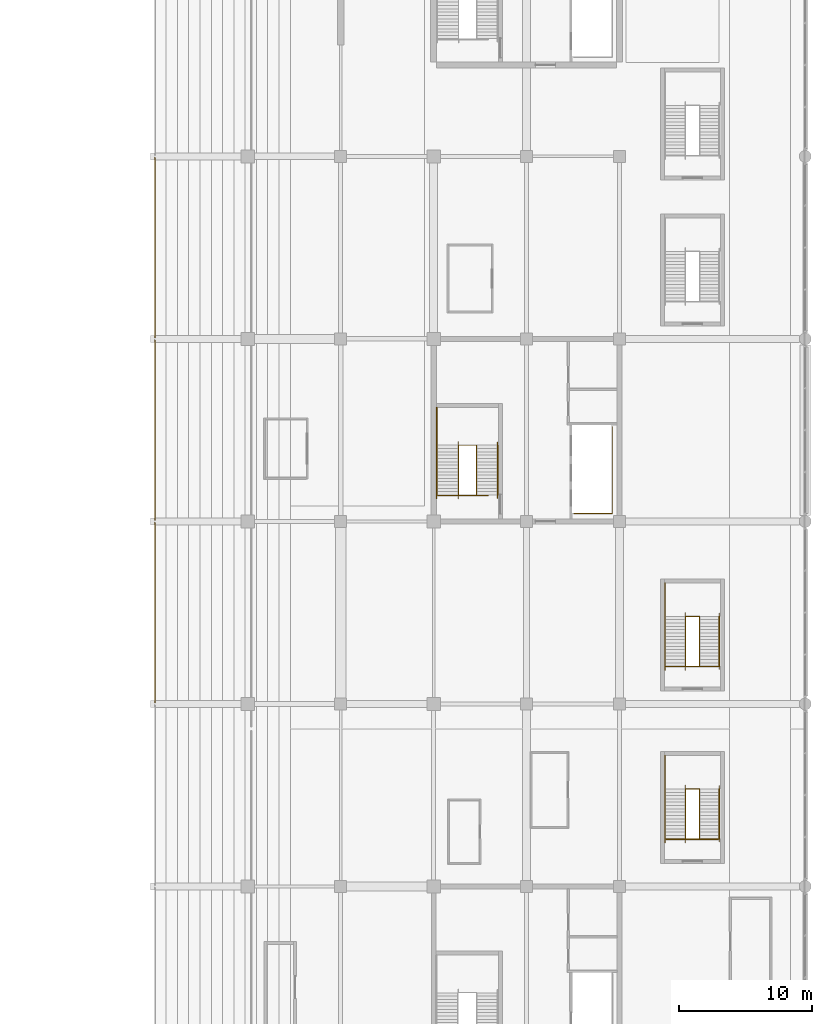
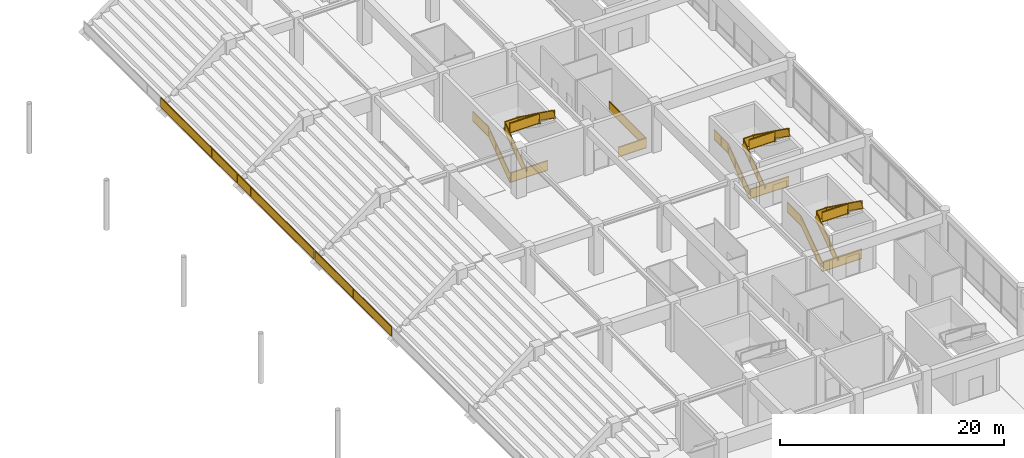
# One storey, part 111 of 117: 16 railings.
"""IFC4 building model written with IfcOpenShell, lengths in metres."""

from ifc_helpers import new_model, si_unit, direction, frame, origin, origin_2d, place, context, subcontext, project, spatial, rectangle, extrude, material, type_object, element, save


model = new_model("IFC4")

# Units and contexts
model_context = context("Model", 3, precision=1e-05, world=origin(), true_north=direction((0.0, 1.0)))
body_context = subcontext(model_context, "Body", "Model", "MODEL_VIEW")
ifc_project = project(units=[si_unit("LENGTHUNIT", "METRE"), si_unit("AREAUNIT", "SQUARE_METRE"), si_unit("VOLUMEUNIT", "CUBIC_METRE"), si_unit("PLANEANGLEUNIT", "RADIAN"), si_unit("MASSUNIT", "GRAM", prefix="KILO")], contexts=[model_context])

# Site, building, storey
site_placement = place(None, origin())
site = spatial("IfcSite", under=ifc_project, at=site_placement, CompositionType="ELEMENT")
building_placement = place(site_placement, origin())
building = spatial("IfcBuilding", under=site, at=building_placement, Name="Linyun Crest Stadium", CompositionType="ELEMENT")
storey_placement = place(building_placement, frame((0.0, 0.0, 6.0)))
storey = spatial("IfcBuildingStorey", under=building, at=storey_placement, Name="L02", CompositionType="ELEMENT", Elevation=6.0)

# Railings
ifc_material_1 = material(Name="Galvanized and powder-coated steel bowl safety barrier", Category="steel")
railing_type_1 = type_object("IfcRailingType", Name="GR02", PredefinedType="GUARDRAIL", material=ifc_material_1)
for number, where, name in (
    (1, (49.0, -11.544921875, 0.199951171875), "Bowl front safety guard GR02 30"),
    (2, (49.0, 2.205078125, 0.199951171875), "Bowl front safety guard GR02 38"),
    (3, (49.0, 15.955078125, 0.199951171875), "Bowl front safety guard GR02 46"),
):
    element("IfcRailing", number, at=place(storey_placement, frame(where)), inside=storey, type_object=railing_type_1, Name=name, PredefinedType="GUARDRAIL", context=body_context, shape_type="SweptSolid", body=[
        extrude(rectangle(XDim=0.06005859375, YDim=0.06005859375, at=origin_2d()), frame((0.0, 0.0, 1.090087890625), z_axis=(0.0, 1.0, 0.0), x_axis=(-1.0, 0.0, 0.0)), (0.0, 0.0, 1.0), 13.58984375),
        extrude(rectangle(XDim=0.030029296875, YDim=1.0, at=origin_2d()), frame((0.0, 0.0, 0.56005859375), z_axis=(0.0, 1.0, 0.0), x_axis=(-1.0, 0.0, 0.0)), (0.0, 0.0, 1.0), 13.58984375),
        extrude(rectangle(XDim=0.06005859375, YDim=0.06005859375, at=origin_2d()), frame((0.0, 0.0, 0.030029296875), z_axis=(0.0, 1.0, 0.0), x_axis=(-1.0, 0.0, 0.0)), (0.0, 0.0, 1.0), 13.58984375),
        extrude(rectangle(XDim=0.050048828125, YDim=0.050048828125, at=origin_2d()), origin(), (0.0, 0.0, 1.0), 1.1201171875),
        extrude(rectangle(XDim=0.050048828125, YDim=0.050048828125, at=origin_2d()), frame((0.0, 2.264892578125, 0.0)), (0.0, 0.0, 1.0), 1.1201171875),
        extrude(rectangle(XDim=0.050048828125, YDim=0.050048828125, at=origin_2d()), frame((0.0, 4.530029296875, 0.0)), (0.0, 0.0, 1.0), 1.1201171875),
        extrude(rectangle(XDim=0.050048828125, YDim=0.050048828125, at=origin_2d()), frame((0.0, 6.794921875, 0.0)), (0.0, 0.0, 1.0), 1.1201171875),
        extrude(rectangle(XDim=0.050048828125, YDim=0.050048828125, at=origin_2d()), frame((0.0, 9.059814453125, 0.0)), (0.0, 0.0, 1.0), 1.1201171875),
        extrude(rectangle(XDim=0.050048828125, YDim=0.050048828125, at=origin_2d()), frame((0.0, 11.324951171875, 0.0)), (0.0, 0.0, 1.0), 1.1201171875),
        extrude(rectangle(XDim=0.050048828125, YDim=0.050048828125, at=origin_2d()), frame((0.0, 13.58984375, 0.0)), (0.0, 0.0, 1.0), 1.1201171875),
    ])
for number, where, name in (
    (4, (87.5400390625, -21.81005859375, 0.0), "Slab edge balustrade GR02 121"),
    (5, (87.5400390625, -8.81005859375, 0.0), "Slab edge balustrade GR02 129"),
):
    element("IfcRailing", number, at=place(storey_placement, frame(where)), inside=storey, type_object=railing_type_1, Name=name, PredefinedType="GUARDRAIL", context=body_context, shape_type="SweptSolid", body=[
        extrude(rectangle(XDim=0.06005859375, YDim=0.06005859375, at=origin_2d()), frame((0.0, 0.0, 1.090087890625), z_axis=(1.0, 0.0, 0.0), x_axis=(0.0, 1.0, 0.0)), (0.0, 0.0, 1.0), 3.919921875),
        extrude(rectangle(XDim=0.030029296875, YDim=1.0, at=origin_2d()), frame((0.0, 0.0, 0.56005859375), z_axis=(1.0, 0.0, 0.0), x_axis=(0.0, 1.0, 0.0)), (0.0, 0.0, 1.0), 3.919921875),
        extrude(rectangle(XDim=0.06005859375, YDim=0.06005859375, at=origin_2d()), frame((0.0, 0.0, 0.030029296875), z_axis=(1.0, 0.0, 0.0), x_axis=(0.0, 1.0, 0.0)), (0.0, 0.0, 1.0), 3.919921875),
        extrude(rectangle(XDim=0.050048828125, YDim=0.050048828125, at=origin_2d()), origin(), (0.0, 0.0, 1.0), 1.1201171875),
        extrude(rectangle(XDim=0.050048828125, YDim=0.050048828125, at=origin_2d()), frame((3.919921875, 0.0, 0.0)), (0.0, 0.0, 1.0), 1.1201171875),
    ])
railing_1_placement = place(storey_placement, frame((80.580078125, 2.715087890625, 0.0)))
element("IfcRailing", 6, at=railing_1_placement, inside=storey, type_object=railing_type_1, Name="Slab edge balustrade GR02 132", PredefinedType="GUARDRAIL", context=body_context, shape_type="SweptSolid", body=[
    extrude(rectangle(XDim=0.06005859375, YDim=0.06005859375, at=origin_2d()), frame((0.0, 0.0, 1.090087890625), z_axis=(1.0, 0.0, 0.0), x_axis=(0.0, 1.0, 0.0)), (0.0, 0.0, 1.0), 2.8798828125),
    extrude(rectangle(XDim=0.030029296875, YDim=1.0, at=origin_2d()), frame((0.0, 0.0, 0.56005859375), z_axis=(1.0, 0.0, 0.0), x_axis=(0.0, 1.0, 0.0)), (0.0, 0.0, 1.0), 2.8798828125),
    extrude(rectangle(XDim=0.06005859375, YDim=0.06005859375, at=origin_2d()), frame((0.0, 0.0, 0.030029296875), z_axis=(1.0, 0.0, 0.0), x_axis=(0.0, 1.0, 0.0)), (0.0, 0.0, 1.0), 2.8798828125),
    extrude(rectangle(XDim=0.06005859375, YDim=0.06005859375, at=origin_2d()), frame((2.8798828125, 0.0, 1.090087890625), z_axis=(0.0, 1.0, 0.0), x_axis=(-1.0, 0.0, 0.0)), (0.0, 0.0, 1.0), 6.5498046875),
    extrude(rectangle(XDim=0.030029296875, YDim=1.0, at=origin_2d()), frame((2.8798828125, 0.0, 0.56005859375), z_axis=(0.0, 1.0, 0.0), x_axis=(-1.0, 0.0, 0.0)), (0.0, 0.0, 1.0), 6.5498046875),
    extrude(rectangle(XDim=0.06005859375, YDim=0.06005859375, at=origin_2d()), frame((2.8798828125, 0.0, 0.030029296875), z_axis=(0.0, 1.0, 0.0), x_axis=(-1.0, 0.0, 0.0)), (0.0, 0.0, 1.0), 6.5498046875),
    extrude(rectangle(XDim=0.050048828125, YDim=0.050048828125, at=origin_2d()), origin(), (0.0, 0.0, 1.0), 1.1201171875),
    extrude(rectangle(XDim=0.050048828125, YDim=0.050048828125, at=origin_2d()), frame((2.8798828125, 0.0, 0.0)), (0.0, 0.0, 1.0), 1.1201171875),
    extrude(rectangle(XDim=0.050048828125, YDim=0.050048828125, at=origin_2d()), frame((2.8798828125, 3.27490234375, 0.0)), (0.0, 0.0, 1.0), 1.1201171875),
    extrude(rectangle(XDim=0.050048828125, YDim=0.050048828125, at=origin_2d()), frame((2.8798828125, 6.5498046875, 0.0)), (0.0, 0.0, 1.0), 1.1201171875),
])
railing_2_placement = place(storey_placement, frame((70.340087890625, 4.0849609375, 0.0)))
element("IfcRailing", 7, at=railing_2_placement, inside=storey, type_object=railing_type_1, Name="Slab edge balustrade GR02 134", PredefinedType="GUARDRAIL", context=body_context, shape_type="SweptSolid", body=[
    extrude(rectangle(XDim=0.06005859375, YDim=0.06005859375, at=origin_2d()), frame((0.0, 0.0, 1.090087890625), z_axis=(1.0, 0.0, 0.0), x_axis=(0.0, 1.0, 0.0)), (0.0, 0.0, 1.0), 3.760009765625),
    extrude(rectangle(XDim=0.030029296875, YDim=1.0, at=origin_2d()), frame((0.0, 0.0, 0.56005859375), z_axis=(1.0, 0.0, 0.0), x_axis=(0.0, 1.0, 0.0)), (0.0, 0.0, 1.0), 3.760009765625),
    extrude(rectangle(XDim=0.06005859375, YDim=0.06005859375, at=origin_2d()), frame((0.0, 0.0, 0.030029296875), z_axis=(1.0, 0.0, 0.0), x_axis=(0.0, 1.0, 0.0)), (0.0, 0.0, 1.0), 3.760009765625),
    extrude(rectangle(XDim=0.050048828125, YDim=0.050048828125, at=origin_2d()), origin(), (0.0, 0.0, 1.0), 1.1201171875),
    extrude(rectangle(XDim=0.050048828125, YDim=0.050048828125, at=origin_2d()), frame((3.760009765625, 0.0, 0.0)), (0.0, 0.0, 1.0), 1.1201171875),
])
ifc_material_2 = material(Name="Painted steel stairwell safety guard", Category="steel")
railing_type_2 = type_object("IfcRailingType", Name="GR03", PredefinedType="GUARDRAIL", material=ifc_material_2)
railing_3_placement = place(storey_placement, frame((70.22998046875, 4.114990234375, 0.0)))
element("IfcRailing", 8, at=railing_3_placement, inside=storey, type_object=railing_type_2, Name="STR-05-L02 outer guard", PredefinedType="GUARDRAIL", context=body_context, shape_type="SweptSolid", body=[
    extrude(rectangle(XDim=0.06005859375, YDim=0.06005859375, at=origin_2d()), frame((0.0, 0.0, 1.090087890625), z_axis=(0.0, 0.811539352079, 0.584297766578), x_axis=(-1.0, 0.0, 0.0)), (0.0, 0.0, 1.0), 4.620849609375),
    extrude(rectangle(XDim=0.030029296875, YDim=1.0, at=origin_2d()), frame((0.0, 0.0, 0.56005859375), z_axis=(0.0, 0.811539352079, 0.584297766578), x_axis=(-1.0, 0.0, 0.0)), (0.0, 0.0, 1.0), 4.620849609375),
    extrude(rectangle(XDim=0.06005859375, YDim=0.06005859375, at=origin_2d()), frame((0.0, 0.0, 0.030029296875), z_axis=(0.0, 0.811539352079, 0.584297766578), x_axis=(-1.0, 0.0, 0.0)), (0.0, 0.0, 1.0), 4.620849609375),
    extrude(rectangle(XDim=0.06005859375, YDim=0.06005859375, at=origin_2d()), frame((0.0, 3.75, 3.7900390625), z_axis=(0.0, 1.0, 0.0), x_axis=(-1.0, 0.0, 0.0)), (0.0, 0.0, 1.0), 2.830078125),
    extrude(rectangle(XDim=0.030029296875, YDim=1.0, at=origin_2d()), frame((0.0, 3.75, 3.260009765625), z_axis=(0.0, 1.0, 0.0), x_axis=(-1.0, 0.0, 0.0)), (0.0, 0.0, 1.0), 2.830078125),
    extrude(rectangle(XDim=0.06005859375, YDim=0.06005859375, at=origin_2d()), frame((0.0, 3.75, 2.72998046875), z_axis=(0.0, 1.0, 0.0), x_axis=(-1.0, 0.0, 0.0)), (0.0, 0.0, 1.0), 2.830078125),
    extrude(rectangle(XDim=0.050048828125, YDim=0.050048828125, at=origin_2d()), origin(), (0.0, 0.0, 1.0), 1.1201171875),
    extrude(rectangle(XDim=0.050048828125, YDim=0.050048828125, at=origin_2d()), frame((0.0, 1.25, 0.89990234375)), (0.0, 0.0, 1.0), 1.1201171875),
    extrude(rectangle(XDim=0.050048828125, YDim=0.050048828125, at=origin_2d()), frame((0.0, 2.5, 1.800048828125)), (0.0, 0.0, 1.0), 1.1201171875),
    extrude(rectangle(XDim=0.050048828125, YDim=0.050048828125, at=origin_2d()), frame((0.0, 3.75, 2.699951171875)), (0.0, 0.0, 1.0), 1.1201171875),
    extrude(rectangle(XDim=0.050048828125, YDim=0.050048828125, at=origin_2d()), frame((0.0, 5.1650390625, 2.699951171875)), (0.0, 0.0, 1.0), 1.1201171875),
    extrude(rectangle(XDim=0.050048828125, YDim=0.050048828125, at=origin_2d()), frame((0.0, 6.580078125, 2.699951171875)), (0.0, 0.0, 1.0), 1.1201171875),
])
railing_4_placement = place(storey_placement, frame((71.8701171875, 4.094970703125, 0.0)))
element("IfcRailing", 9, at=railing_4_placement, inside=storey, type_object=railing_type_2, Name="STR-05-L02 inner well guard", PredefinedType="GUARDRAIL", context=body_context, shape_type="SweptSolid", body=[
    extrude(rectangle(XDim=0.06005859375, YDim=0.06005859375, at=origin_2d()), frame((0.0, 0.0, 1.090087890625), z_axis=(0.0, 0.813010693788, 0.582248754216), x_axis=(-1.0, 0.0, 0.0)), (0.0, 0.0, 1.0), 4.63720703125),
    extrude(rectangle(XDim=0.030029296875, YDim=1.0, at=origin_2d()), frame((0.0, 0.0, 0.56005859375), z_axis=(0.0, 0.813010693788, 0.582248754216), x_axis=(-1.0, 0.0, 0.0)), (0.0, 0.0, 1.0), 4.63720703125),
    extrude(rectangle(XDim=0.06005859375, YDim=0.06005859375, at=origin_2d()), frame((0.0, 0.0, 0.030029296875), z_axis=(0.0, 0.813010693788, 0.582248754216), x_axis=(-1.0, 0.0, 0.0)), (0.0, 0.0, 1.0), 4.63720703125),
    extrude(rectangle(XDim=0.06005859375, YDim=0.06005859375, at=origin_2d()), frame((0.0, 3.77001953125, 3.7900390625), z_axis=(1.0, 0.0, 0.0), x_axis=(0.0, 1.0, 0.0)), (0.0, 0.0, 1.0), 1.35986328125),
    extrude(rectangle(XDim=0.030029296875, YDim=1.0, at=origin_2d()), frame((0.0, 3.77001953125, 3.260009765625), z_axis=(1.0, 0.0, 0.0), x_axis=(0.0, 1.0, 0.0)), (0.0, 0.0, 1.0), 1.35986328125),
    extrude(rectangle(XDim=0.06005859375, YDim=0.06005859375, at=origin_2d()), frame((0.0, 3.77001953125, 2.72998046875), z_axis=(1.0, 0.0, 0.0), x_axis=(0.0, 1.0, 0.0)), (0.0, 0.0, 1.0), 1.35986328125),
    extrude(rectangle(XDim=0.06005859375, YDim=0.06005859375, at=origin_2d()), frame((1.35986328125, 3.77001953125, 3.7900390625), z_axis=(0.0, -0.813010693788, 0.582248754216), x_axis=(1.0, 0.0, 0.0)), (0.0, 0.0, 1.0), 4.63720703125),
    extrude(rectangle(XDim=0.030029296875, YDim=1.0, at=origin_2d()), frame((1.35986328125, 3.77001953125, 3.260009765625), z_axis=(0.0, -0.813010693788, 0.582248754216), x_axis=(1.0, 0.0, 0.0)), (0.0, 0.0, 1.0), 4.63720703125),
    extrude(rectangle(XDim=0.06005859375, YDim=0.06005859375, at=origin_2d()), frame((1.35986328125, 3.77001953125, 2.72998046875), z_axis=(0.0, -0.813010693788, 0.582248754216), x_axis=(1.0, 0.0, 0.0)), (0.0, 0.0, 1.0), 4.63720703125),
    extrude(rectangle(XDim=0.06005859375, YDim=0.06005859375, at=origin_2d()), frame((1.35986328125, 0.0, 6.489990234375), z_axis=(-1.0, 0.0, 0.0), x_axis=(0.0, -1.0, 0.0)), (0.0, 0.0, 1.0), 3.010009765625),
    extrude(rectangle(XDim=0.030029296875, YDim=1.0, at=origin_2d()), frame((1.35986328125, 0.0, 5.9599609375), z_axis=(-1.0, 0.0, 0.0), x_axis=(0.0, -1.0, 0.0)), (0.0, 0.0, 1.0), 3.010009765625),
    extrude(rectangle(XDim=0.06005859375, YDim=0.06005859375, at=origin_2d()), frame((1.35986328125, 0.0, 5.429931640625), z_axis=(-1.0, 0.0, 0.0), x_axis=(0.0, -1.0, 0.0)), (0.0, 0.0, 1.0), 3.010009765625),
    extrude(rectangle(XDim=0.050048828125, YDim=0.050048828125, at=origin_2d()), origin(), (0.0, 0.0, 1.0), 1.1201171875),
    extrude(rectangle(XDim=0.050048828125, YDim=0.050048828125, at=origin_2d()), frame((0.0, 1.256591796875, 0.89990234375)), (0.0, 0.0, 1.0), 1.1201171875),
    extrude(rectangle(XDim=0.050048828125, YDim=0.050048828125, at=origin_2d()), frame((0.0, 2.513427734375, 1.800048828125)), (0.0, 0.0, 1.0), 1.1201171875),
    extrude(rectangle(XDim=0.050048828125, YDim=0.050048828125, at=origin_2d()), frame((0.0, 3.77001953125, 2.699951171875)), (0.0, 0.0, 1.0), 1.1201171875),
    extrude(rectangle(XDim=0.050048828125, YDim=0.050048828125, at=origin_2d()), frame((1.35986328125, 3.77001953125, 2.699951171875)), (0.0, 0.0, 1.0), 1.1201171875),
    extrude(rectangle(XDim=0.050048828125, YDim=0.050048828125, at=origin_2d()), frame((1.35986328125, 2.513427734375, 3.599853515625)), (0.0, 0.0, 1.0), 1.1201171875),
    extrude(rectangle(XDim=0.050048828125, YDim=0.050048828125, at=origin_2d()), frame((1.35986328125, 1.256591796875, 4.5)), (0.0, 0.0, 1.0), 1.1201171875),
    extrude(rectangle(XDim=0.050048828125, YDim=0.050048828125, at=origin_2d()), frame((1.35986328125, 0.0, 5.39990234375)), (0.0, 0.0, 1.0), 1.1201171875),
    extrude(rectangle(XDim=0.050048828125, YDim=0.050048828125, at=origin_2d()), frame((-0.14501953125, 0.0, 5.39990234375)), (0.0, 0.0, 1.0), 1.1201171875),
    extrude(rectangle(XDim=0.050048828125, YDim=0.050048828125, at=origin_2d()), frame((-1.650146484375, 0.0, 5.39990234375)), (0.0, 0.0, 1.0), 1.1201171875),
])
railing_5_placement = place(storey_placement, frame((87.429931640625, -21.780029296875, 0.0)))
element("IfcRailing", 10, at=railing_5_placement, inside=storey, type_object=railing_type_2, Name="STR-19-L02 outer guard", PredefinedType="GUARDRAIL", context=body_context, shape_type="SweptSolid", body=[
    extrude(rectangle(XDim=0.06005859375, YDim=0.06005859375, at=origin_2d()), frame((0.0, 0.0, 1.090087890625), z_axis=(0.0, 0.811539352079, 0.584297766578), x_axis=(-1.0, 0.0, 0.0)), (0.0, 0.0, 1.0), 4.620849609375),
    extrude(rectangle(XDim=0.030029296875, YDim=1.0, at=origin_2d()), frame((0.0, 0.0, 0.56005859375), z_axis=(0.0, 0.811539352079, 0.584297766578), x_axis=(-1.0, 0.0, 0.0)), (0.0, 0.0, 1.0), 4.620849609375),
    extrude(rectangle(XDim=0.06005859375, YDim=0.06005859375, at=origin_2d()), frame((0.0, 0.0, 0.030029296875), z_axis=(0.0, 0.811539352079, 0.584297766578), x_axis=(-1.0, 0.0, 0.0)), (0.0, 0.0, 1.0), 4.620849609375),
    extrude(rectangle(XDim=0.06005859375, YDim=0.06005859375, at=origin_2d()), frame((0.0, 3.75, 3.7900390625), z_axis=(0.0, 1.0, 0.0), x_axis=(-1.0, 0.0, 0.0)), (0.0, 0.0, 1.0), 2.5),
    extrude(rectangle(XDim=0.030029296875, YDim=1.0, at=origin_2d()), frame((0.0, 3.75, 3.260009765625), z_axis=(0.0, 1.0, 0.0), x_axis=(-1.0, 0.0, 0.0)), (0.0, 0.0, 1.0), 2.5),
    extrude(rectangle(XDim=0.06005859375, YDim=0.06005859375, at=origin_2d()), frame((0.0, 3.75, 2.72998046875), z_axis=(0.0, 1.0, 0.0), x_axis=(-1.0, 0.0, 0.0)), (0.0, 0.0, 1.0), 2.5),
    extrude(rectangle(XDim=0.050048828125, YDim=0.050048828125, at=origin_2d()), origin(), (0.0, 0.0, 1.0), 1.1201171875),
    extrude(rectangle(XDim=0.050048828125, YDim=0.050048828125, at=origin_2d()), frame((0.0, 1.25, 0.89990234375)), (0.0, 0.0, 1.0), 1.1201171875),
    extrude(rectangle(XDim=0.050048828125, YDim=0.050048828125, at=origin_2d()), frame((0.0, 2.5, 1.800048828125)), (0.0, 0.0, 1.0), 1.1201171875),
    extrude(rectangle(XDim=0.050048828125, YDim=0.050048828125, at=origin_2d()), frame((0.0, 3.75, 2.699951171875)), (0.0, 0.0, 1.0), 1.1201171875),
    extrude(rectangle(XDim=0.050048828125, YDim=0.050048828125, at=origin_2d()), frame((0.0, 5.0, 2.699951171875)), (0.0, 0.0, 1.0), 1.1201171875),
    extrude(rectangle(XDim=0.050048828125, YDim=0.050048828125, at=origin_2d()), frame((0.0, 6.25, 2.699951171875)), (0.0, 0.0, 1.0), 1.1201171875),
])
railing_6_placement = place(storey_placement, frame((88.969970703125, -21.800048828125, 0.0)))
element("IfcRailing", 11, at=railing_6_placement, inside=storey, type_object=railing_type_2, Name="STR-19-L02 inner well guard", PredefinedType="GUARDRAIL", context=body_context, shape_type="SweptSolid", body=[
    extrude(rectangle(XDim=0.06005859375, YDim=0.06005859375, at=origin_2d()), frame((0.0, 0.0, 1.090087890625), z_axis=(0.0, 0.813010693788, 0.582248754216), x_axis=(-1.0, 0.0, 0.0)), (0.0, 0.0, 1.0), 4.63720703125),
    extrude(rectangle(XDim=0.030029296875, YDim=1.0, at=origin_2d()), frame((0.0, 0.0, 0.56005859375), z_axis=(0.0, 0.813010693788, 0.582248754216), x_axis=(-1.0, 0.0, 0.0)), (0.0, 0.0, 1.0), 4.63720703125),
    extrude(rectangle(XDim=0.06005859375, YDim=0.06005859375, at=origin_2d()), frame((0.0, 0.0, 0.030029296875), z_axis=(0.0, 0.813010693788, 0.582248754216), x_axis=(-1.0, 0.0, 0.0)), (0.0, 0.0, 1.0), 4.63720703125),
    extrude(rectangle(XDim=0.06005859375, YDim=0.06005859375, at=origin_2d()), frame((0.0, 3.77001953125, 3.7900390625), z_axis=(1.0, 0.0, 0.0), x_axis=(0.0, 1.0, 0.0)), (0.0, 0.0, 1.0), 1.06005859375),
    extrude(rectangle(XDim=0.030029296875, YDim=1.0, at=origin_2d()), frame((0.0, 3.77001953125, 3.260009765625), z_axis=(1.0, 0.0, 0.0), x_axis=(0.0, 1.0, 0.0)), (0.0, 0.0, 1.0), 1.06005859375),
    extrude(rectangle(XDim=0.06005859375, YDim=0.06005859375, at=origin_2d()), frame((0.0, 3.77001953125, 2.72998046875), z_axis=(1.0, 0.0, 0.0), x_axis=(0.0, 1.0, 0.0)), (0.0, 0.0, 1.0), 1.06005859375),
    extrude(rectangle(XDim=0.06005859375, YDim=0.06005859375, at=origin_2d()), frame((1.06005859375, 3.77001953125, 3.7900390625), z_axis=(0.0, -0.813010693788, 0.582248754216), x_axis=(1.0, 0.0, 0.0)), (0.0, 0.0, 1.0), 4.63720703125),
    extrude(rectangle(XDim=0.030029296875, YDim=1.0, at=origin_2d()), frame((1.06005859375, 3.77001953125, 3.260009765625), z_axis=(0.0, -0.813010693788, 0.582248754216), x_axis=(1.0, 0.0, 0.0)), (0.0, 0.0, 1.0), 4.63720703125),
    extrude(rectangle(XDim=0.06005859375, YDim=0.06005859375, at=origin_2d()), frame((1.06005859375, 3.77001953125, 2.72998046875), z_axis=(0.0, -0.813010693788, 0.582248754216), x_axis=(1.0, 0.0, 0.0)), (0.0, 0.0, 1.0), 4.63720703125),
    extrude(rectangle(XDim=0.06005859375, YDim=0.06005859375, at=origin_2d()), frame((1.06005859375, 0.0, 6.489990234375), z_axis=(-1.0, 0.0, 0.0), x_axis=(0.0, -1.0, 0.0)), (0.0, 0.0, 1.0), 2.610107421875),
    extrude(rectangle(XDim=0.030029296875, YDim=1.0, at=origin_2d()), frame((1.06005859375, 0.0, 5.9599609375), z_axis=(-1.0, 0.0, 0.0), x_axis=(0.0, -1.0, 0.0)), (0.0, 0.0, 1.0), 2.610107421875),
    extrude(rectangle(XDim=0.06005859375, YDim=0.06005859375, at=origin_2d()), frame((1.06005859375, 0.0, 5.429931640625), z_axis=(-1.0, 0.0, 0.0), x_axis=(0.0, -1.0, 0.0)), (0.0, 0.0, 1.0), 2.610107421875),
    extrude(rectangle(XDim=0.050048828125, YDim=0.050048828125, at=origin_2d()), origin(), (0.0, 0.0, 1.0), 1.1201171875),
    extrude(rectangle(XDim=0.050048828125, YDim=0.050048828125, at=origin_2d()), frame((0.0, 1.256591796875, 0.89990234375)), (0.0, 0.0, 1.0), 1.1201171875),
    extrude(rectangle(XDim=0.050048828125, YDim=0.050048828125, at=origin_2d()), frame((0.0, 2.513427734375, 1.800048828125)), (0.0, 0.0, 1.0), 1.1201171875),
    extrude(rectangle(XDim=0.050048828125, YDim=0.050048828125, at=origin_2d()), frame((0.0, 3.77001953125, 2.699951171875)), (0.0, 0.0, 1.0), 1.1201171875),
    extrude(rectangle(XDim=0.050048828125, YDim=0.050048828125, at=origin_2d()), frame((1.06005859375, 3.77001953125, 2.699951171875)), (0.0, 0.0, 1.0), 1.1201171875),
    extrude(rectangle(XDim=0.050048828125, YDim=0.050048828125, at=origin_2d()), frame((1.06005859375, 2.513427734375, 3.599853515625)), (0.0, 0.0, 1.0), 1.1201171875),
    extrude(rectangle(XDim=0.050048828125, YDim=0.050048828125, at=origin_2d()), frame((1.06005859375, 1.256591796875, 4.5)), (0.0, 0.0, 1.0), 1.1201171875),
    extrude(rectangle(XDim=0.050048828125, YDim=0.050048828125, at=origin_2d()), frame((1.06005859375, 0.0, 5.39990234375)), (0.0, 0.0, 1.0), 1.1201171875),
    extrude(rectangle(XDim=0.050048828125, YDim=0.050048828125, at=origin_2d()), frame((-0.2451171875, 0.0, 5.39990234375)), (0.0, 0.0, 1.0), 1.1201171875),
    extrude(rectangle(XDim=0.050048828125, YDim=0.050048828125, at=origin_2d()), frame((-1.550048828125, 0.0, 5.39990234375)), (0.0, 0.0, 1.0), 1.1201171875),
])
railing_7_placement = place(storey_placement, frame((87.429931640625, -8.780029296875, 0.0)))
element("IfcRailing", 12, at=railing_7_placement, inside=storey, type_object=railing_type_2, Name="STR-20-L02 outer guard", PredefinedType="GUARDRAIL", context=body_context, shape_type="SweptSolid", body=[
    extrude(rectangle(XDim=0.06005859375, YDim=0.06005859375, at=origin_2d()), frame((0.0, 0.0, 1.090087890625), z_axis=(0.0, 0.811539352079, 0.584297766578), x_axis=(-1.0, 0.0, 0.0)), (0.0, 0.0, 1.0), 4.620849609375),
    extrude(rectangle(XDim=0.030029296875, YDim=1.0, at=origin_2d()), frame((0.0, 0.0, 0.56005859375), z_axis=(0.0, 0.811539352079, 0.584297766578), x_axis=(-1.0, 0.0, 0.0)), (0.0, 0.0, 1.0), 4.620849609375),
    extrude(rectangle(XDim=0.06005859375, YDim=0.06005859375, at=origin_2d()), frame((0.0, 0.0, 0.030029296875), z_axis=(0.0, 0.811539352079, 0.584297766578), x_axis=(-1.0, 0.0, 0.0)), (0.0, 0.0, 1.0), 4.620849609375),
    extrude(rectangle(XDim=0.06005859375, YDim=0.06005859375, at=origin_2d()), frame((0.0, 3.75, 3.7900390625), z_axis=(0.0, 1.0, 0.0), x_axis=(-1.0, 0.0, 0.0)), (0.0, 0.0, 1.0), 2.5),
    extrude(rectangle(XDim=0.030029296875, YDim=1.0, at=origin_2d()), frame((0.0, 3.75, 3.260009765625), z_axis=(0.0, 1.0, 0.0), x_axis=(-1.0, 0.0, 0.0)), (0.0, 0.0, 1.0), 2.5),
    extrude(rectangle(XDim=0.06005859375, YDim=0.06005859375, at=origin_2d()), frame((0.0, 3.75, 2.72998046875), z_axis=(0.0, 1.0, 0.0), x_axis=(-1.0, 0.0, 0.0)), (0.0, 0.0, 1.0), 2.5),
    extrude(rectangle(XDim=0.050048828125, YDim=0.050048828125, at=origin_2d()), origin(), (0.0, 0.0, 1.0), 1.1201171875),
    extrude(rectangle(XDim=0.050048828125, YDim=0.050048828125, at=origin_2d()), frame((0.0, 1.25, 0.89990234375)), (0.0, 0.0, 1.0), 1.1201171875),
    extrude(rectangle(XDim=0.050048828125, YDim=0.050048828125, at=origin_2d()), frame((0.0, 2.5, 1.800048828125)), (0.0, 0.0, 1.0), 1.1201171875),
    extrude(rectangle(XDim=0.050048828125, YDim=0.050048828125, at=origin_2d()), frame((0.0, 3.75, 2.699951171875)), (0.0, 0.0, 1.0), 1.1201171875),
    extrude(rectangle(XDim=0.050048828125, YDim=0.050048828125, at=origin_2d()), frame((0.0, 5.0, 2.699951171875)), (0.0, 0.0, 1.0), 1.1201171875),
    extrude(rectangle(XDim=0.050048828125, YDim=0.050048828125, at=origin_2d()), frame((0.0, 6.25, 2.699951171875)), (0.0, 0.0, 1.0), 1.1201171875),
])
railing_8_placement = place(storey_placement, frame((88.969970703125, -8.800048828125, 0.0)))
element("IfcRailing", 13, at=railing_8_placement, inside=storey, type_object=railing_type_2, Name="STR-20-L02 inner well guard", PredefinedType="GUARDRAIL", context=body_context, shape_type="SweptSolid", body=[
    extrude(rectangle(XDim=0.06005859375, YDim=0.06005859375, at=origin_2d()), frame((0.0, 0.0, 1.090087890625), z_axis=(0.0, 0.813010693788, 0.582248754216), x_axis=(-1.0, 0.0, 0.0)), (0.0, 0.0, 1.0), 4.63720703125),
    extrude(rectangle(XDim=0.030029296875, YDim=1.0, at=origin_2d()), frame((0.0, 0.0, 0.56005859375), z_axis=(0.0, 0.813010693788, 0.582248754216), x_axis=(-1.0, 0.0, 0.0)), (0.0, 0.0, 1.0), 4.63720703125),
    extrude(rectangle(XDim=0.06005859375, YDim=0.06005859375, at=origin_2d()), frame((0.0, 0.0, 0.030029296875), z_axis=(0.0, 0.813010693788, 0.582248754216), x_axis=(-1.0, 0.0, 0.0)), (0.0, 0.0, 1.0), 4.63720703125),
    extrude(rectangle(XDim=0.06005859375, YDim=0.06005859375, at=origin_2d()), frame((0.0, 3.77001953125, 3.7900390625), z_axis=(1.0, 0.0, 0.0), x_axis=(0.0, 1.0, 0.0)), (0.0, 0.0, 1.0), 1.06005859375),
    extrude(rectangle(XDim=0.030029296875, YDim=1.0, at=origin_2d()), frame((0.0, 3.77001953125, 3.260009765625), z_axis=(1.0, 0.0, 0.0), x_axis=(0.0, 1.0, 0.0)), (0.0, 0.0, 1.0), 1.06005859375),
    extrude(rectangle(XDim=0.06005859375, YDim=0.06005859375, at=origin_2d()), frame((0.0, 3.77001953125, 2.72998046875), z_axis=(1.0, 0.0, 0.0), x_axis=(0.0, 1.0, 0.0)), (0.0, 0.0, 1.0), 1.06005859375),
    extrude(rectangle(XDim=0.06005859375, YDim=0.06005859375, at=origin_2d()), frame((1.06005859375, 3.77001953125, 3.7900390625), z_axis=(0.0, -0.813010693788, 0.582248754216), x_axis=(1.0, 0.0, 0.0)), (0.0, 0.0, 1.0), 4.63720703125),
    extrude(rectangle(XDim=0.030029296875, YDim=1.0, at=origin_2d()), frame((1.06005859375, 3.77001953125, 3.260009765625), z_axis=(0.0, -0.813010693788, 0.582248754216), x_axis=(1.0, 0.0, 0.0)), (0.0, 0.0, 1.0), 4.63720703125),
    extrude(rectangle(XDim=0.06005859375, YDim=0.06005859375, at=origin_2d()), frame((1.06005859375, 3.77001953125, 2.72998046875), z_axis=(0.0, -0.813010693788, 0.582248754216), x_axis=(1.0, 0.0, 0.0)), (0.0, 0.0, 1.0), 4.63720703125),
    extrude(rectangle(XDim=0.06005859375, YDim=0.06005859375, at=origin_2d()), frame((1.06005859375, 0.0, 6.489990234375), z_axis=(-1.0, 0.0, 0.0), x_axis=(0.0, -1.0, 0.0)), (0.0, 0.0, 1.0), 2.610107421875),
    extrude(rectangle(XDim=0.030029296875, YDim=1.0, at=origin_2d()), frame((1.06005859375, 0.0, 5.9599609375), z_axis=(-1.0, 0.0, 0.0), x_axis=(0.0, -1.0, 0.0)), (0.0, 0.0, 1.0), 2.610107421875),
    extrude(rectangle(XDim=0.06005859375, YDim=0.06005859375, at=origin_2d()), frame((1.06005859375, 0.0, 5.429931640625), z_axis=(-1.0, 0.0, 0.0), x_axis=(0.0, -1.0, 0.0)), (0.0, 0.0, 1.0), 2.610107421875),
    extrude(rectangle(XDim=0.050048828125, YDim=0.050048828125, at=origin_2d()), origin(), (0.0, 0.0, 1.0), 1.1201171875),
    extrude(rectangle(XDim=0.050048828125, YDim=0.050048828125, at=origin_2d()), frame((0.0, 1.256591796875, 0.89990234375)), (0.0, 0.0, 1.0), 1.1201171875),
    extrude(rectangle(XDim=0.050048828125, YDim=0.050048828125, at=origin_2d()), frame((0.0, 2.513427734375, 1.800048828125)), (0.0, 0.0, 1.0), 1.1201171875),
    extrude(rectangle(XDim=0.050048828125, YDim=0.050048828125, at=origin_2d()), frame((0.0, 3.77001953125, 2.699951171875)), (0.0, 0.0, 1.0), 1.1201171875),
    extrude(rectangle(XDim=0.050048828125, YDim=0.050048828125, at=origin_2d()), frame((1.06005859375, 3.77001953125, 2.699951171875)), (0.0, 0.0, 1.0), 1.1201171875),
    extrude(rectangle(XDim=0.050048828125, YDim=0.050048828125, at=origin_2d()), frame((1.06005859375, 2.513427734375, 3.599853515625)), (0.0, 0.0, 1.0), 1.1201171875),
    extrude(rectangle(XDim=0.050048828125, YDim=0.050048828125, at=origin_2d()), frame((1.06005859375, 1.256591796875, 4.5)), (0.0, 0.0, 1.0), 1.1201171875),
    extrude(rectangle(XDim=0.050048828125, YDim=0.050048828125, at=origin_2d()), frame((1.06005859375, 0.0, 5.39990234375)), (0.0, 0.0, 1.0), 1.1201171875),
    extrude(rectangle(XDim=0.050048828125, YDim=0.050048828125, at=origin_2d()), frame((-0.2451171875, 0.0, 5.39990234375)), (0.0, 0.0, 1.0), 1.1201171875),
    extrude(rectangle(XDim=0.050048828125, YDim=0.050048828125, at=origin_2d()), frame((-1.550048828125, 0.0, 5.39990234375)), (0.0, 0.0, 1.0), 1.1201171875),
])
ifc_material_3 = material(Name="Brushed stainless steel tubular handrail", Category="steel")
railing_type_3 = type_object("IfcRailingType", Name="HR01", PredefinedType="HANDRAIL", material=ifc_material_3)
for number, where, name in (
    (14, (74.820068359375, 7.864990234375, 2.699951171875), "STR-05-L02 handrail"),
    (15, (91.52001953125, -18.030029296875, 2.699951171875), "STR-19-L02 handrail"),
    (16, (91.52001953125, -5.030029296875, 2.699951171875), "STR-20-L02 handrail"),
):
    element("IfcRailing", number, at=place(storey_placement, frame(where)), inside=storey, type_object=railing_type_3, Name=name, PredefinedType="HANDRAIL", context=body_context, shape_type="SweptSolid", body=[
        extrude(rectangle(XDim=0.06005859375, YDim=0.06005859375, at=origin_2d()), frame((0.0, 0.0, 0.889892578125), z_axis=(0.0, -0.811539352079, 0.584297766578), x_axis=(1.0, 0.0, 0.0)), (0.0, 0.0, 1.0), 4.620849609375),
        extrude(rectangle(XDim=0.030029296875, YDim=0.7998046875, at=origin_2d()), frame((0.0, 0.0, 0.4599609375), z_axis=(0.0, -0.811539352079, 0.584297766578), x_axis=(1.0, 0.0, 0.0)), (0.0, 0.0, 1.0), 4.620849609375),
        extrude(rectangle(XDim=0.06005859375, YDim=0.06005859375, at=origin_2d()), frame((0.0, 0.0, 0.030029296875), z_axis=(0.0, -0.811539352079, 0.584297766578), x_axis=(1.0, 0.0, 0.0)), (0.0, 0.0, 1.0), 4.620849609375),
        extrude(rectangle(XDim=0.050048828125, YDim=0.050048828125, at=origin_2d()), origin(), (0.0, 0.0, 1.0), 0.919921875),
        extrude(rectangle(XDim=0.050048828125, YDim=0.050048828125, at=origin_2d()), frame((0.0, -1.25, 0.89990234375)), (0.0, 0.0, 1.0), 0.919921875),
        extrude(rectangle(XDim=0.050048828125, YDim=0.050048828125, at=origin_2d()), frame((0.0, -2.5, 1.800048828125)), (0.0, 0.0, 1.0), 0.919921875),
        extrude(rectangle(XDim=0.050048828125, YDim=0.050048828125, at=origin_2d()), frame((0.0, -3.75, 2.699951171875)), (0.0, 0.0, 1.0), 0.919921875),
    ])

save(model, "model.ifc")
